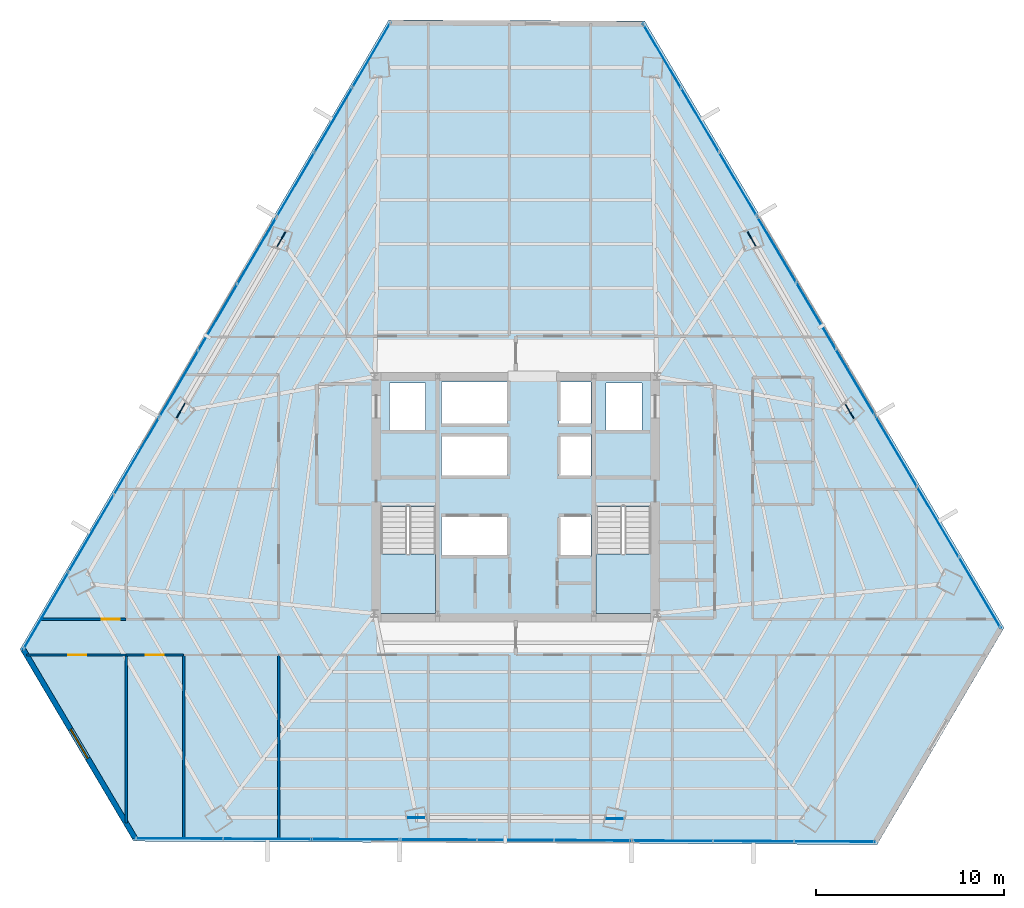
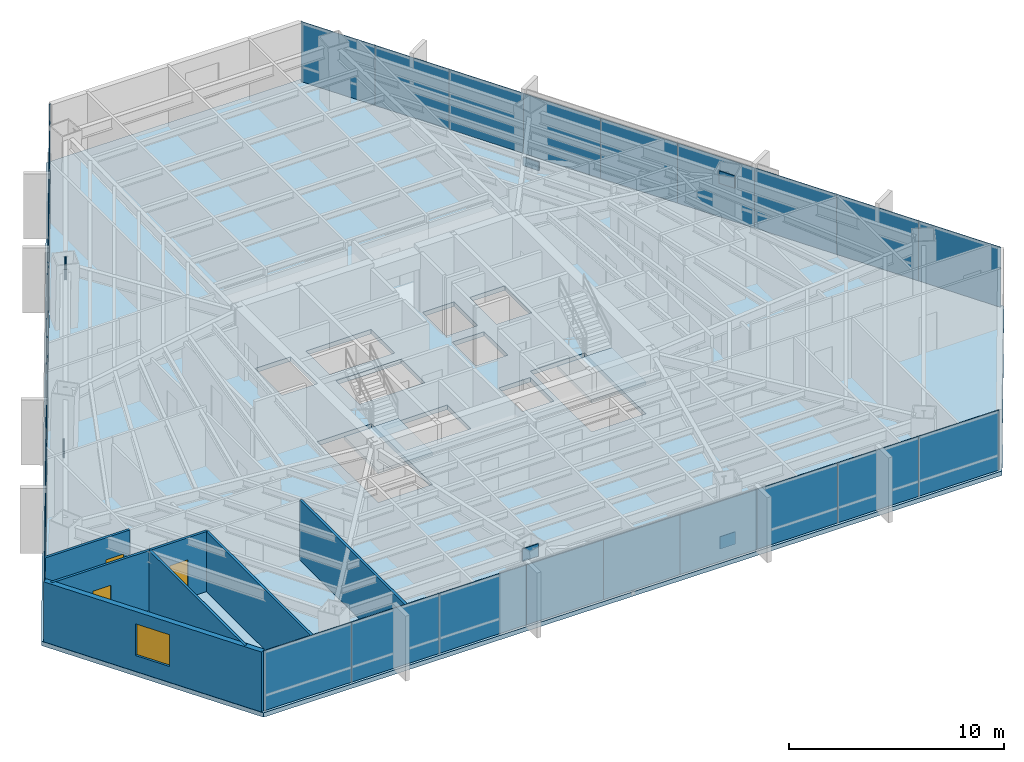
# One storey, part 29 of 36: 33 plates, 7 walls, 3 doors, 3 slabs, 1 window, 4 openings, 11 elements without a shape of their own.
"""IFC4 building model written with IfcOpenShell, lengths in metres."""

from ifc_helpers import new_model, si_unit, direction, frame, frame_2d, origin, origin_2d, place, context, subcontext, project, spatial, polyline, rectangle, outline, extrude, source, transform, mapped, material, layer, layer_set, type_object, type_shapes, element, fill, aggregate, save


model = new_model("IFC4")

# Units and contexts
model_context = context("Model", 3, precision=1e-05, world=origin(), true_north=direction((0.0, 1.0)))
body_context = subcontext(model_context, "Body", "Model", "MODEL_VIEW")
ifc_project = project(units=[si_unit("LENGTHUNIT", "METRE"), si_unit("AREAUNIT", "SQUARE_METRE"), si_unit("VOLUMEUNIT", "CUBIC_METRE"), si_unit("PLANEANGLEUNIT", "RADIAN"), si_unit("MASSUNIT", "GRAM", prefix="KILO")], contexts=[model_context])

# Site, building, storey
site_placement = place(None, origin())
site = spatial("IfcSite", under=ifc_project, at=site_placement, CompositionType="ELEMENT")
building_placement = place(site_placement, origin())
building = spatial("IfcBuilding", under=site, at=building_placement, Name="Caelisora Broadcast Tower", CompositionType="ELEMENT")
storey_placement = place(building_placement, frame((0.0, 0.0, 112.699951171875)))
storey = spatial("IfcBuildingStorey", under=building, at=storey_placement, Name="L29", CompositionType="ELEMENT", Elevation=112.699951171875)

# Slab
ifc_material_1 = material(Name="Concrete 40 MPa (AS 3600 N40)", Category="concrete")
ifc_layer_1 = layer(ifc_material_1, 0.25, Name="Concrete 40 MPa (AS 3600 N40)")
ifc_layer_set_1 = layer_set([ifc_layer_1], Name="Concrete 40 MPa (AS 3600 N40)")
slab_type_1 = type_object("IfcSlabType", Name="SL04", PredefinedType="FLOOR", material=ifc_layer_set_1)
slab_1_placement = place(storey_placement, frame((0.0, 0.0, -0.25)))
element("IfcSlab", 1, at=slab_1_placement, inside=storey, type_object=slab_type_1, Name="L29 suspended floor SL04", PredefinedType="FLOOR", context=body_context, shape_type="SweptSolid", body=[
    extrude(outline(polyline([(44.85693359375, 48.885986328125), (31.251953125, 48.948974609375), (11.652099609375, 15.498046875), (17.68896484375, 5.302978515625), (57.202880859375, 5.12109375), (63.950927734375, 16.638916015625), (44.85693359375, 48.885986328125)]), holes=[polyline([(30.820068359375, 17.39990234375), (33.739990234375, 17.39990234375), (33.739990234375, 23.080078125), (30.820068359375, 23.080078125), (30.820068359375, 17.39990234375)]), polyline([(42.260009765625, 17.39990234375), (45.179931640625, 17.39990234375), (45.179931640625, 23.080078125), (42.260009765625, 23.080078125), (42.260009765625, 17.39990234375)]), polyline([(42.800048828125, 27.14990234375), (44.699951171875, 27.14990234375), (44.699951171875, 29.64990234375), (42.800048828125, 29.64990234375), (42.800048828125, 27.14990234375)]), polyline([(40.300048828125, 20.429931640625), (42.0, 20.429931640625), (42.0, 22.6298828125), (40.300048828125, 22.6298828125), (40.300048828125, 20.429931640625)]), polyline([(40.300048828125, 24.719970703125), (42.0, 24.719970703125), (42.0, 26.919921875), (40.300048828125, 26.919921875), (40.300048828125, 24.719970703125)]), polyline([(40.300048828125, 27.5), (42.0, 27.5), (42.0, 29.699951171875), (40.300048828125, 29.699951171875), (40.300048828125, 27.5)]), polyline([(34.050048828125, 20.429931640625), (37.550048828125, 20.429931640625), (37.550048828125, 22.6298828125), (34.050048828125, 22.6298828125), (34.050048828125, 20.429931640625)]), polyline([(34.050048828125, 24.719970703125), (37.550048828125, 24.719970703125), (37.550048828125, 26.919921875), (34.050048828125, 26.919921875), (34.050048828125, 24.719970703125)]), polyline([(34.050048828125, 27.5), (37.550048828125, 27.5), (37.550048828125, 29.699951171875), (34.050048828125, 29.699951171875), (34.050048828125, 27.5)]), polyline([(31.300048828125, 27.14990234375), (33.199951171875, 27.14990234375), (33.199951171875, 29.64990234375), (31.300048828125, 29.64990234375), (31.300048828125, 27.14990234375)])]), origin(), (0.0, 0.0, 1.0), 0.25),
])

# Stair, slab
stair_type_1 = type_object("IfcStairType", Name="ST-1", PredefinedType="HALF_TURN_STAIR", material=ifc_material_1)
stair_1_placement = place(storey_placement, origin())
stair_1 = element("IfcStair", 2, at=stair_1_placement, inside=storey, type_object=stair_type_1, Name="L29 West Fire-Isolated Tower Stair", PredefinedType="HALF_TURN_STAIR")
ifc_layer_2 = layer(ifc_material_1, 0.199951171875, Name="Concrete 40 MPa (AS 3600 N40)")
ifc_layer_set_2 = layer_set([ifc_layer_2], Name="Concrete 40 MPa (AS 3600 N40)")
slab_type_2 = type_object("IfcSlabType", Name="STL-1", PredefinedType="LANDING", material=ifc_layer_set_2)
slab_2_placement = place(storey_placement, frame((0.0, 0.0, 1.625)))
slab_2 = element("IfcSlab", 3, at=slab_2_placement, type_object=slab_type_2, Name="ST-1 landing 1", PredefinedType="LANDING", context=body_context, shape_type="SweptSolid", body=[
    extrude(outline(polyline([(30.820068359375, 20.580078125), (30.820068359375, 17.39990234375), (33.739990234375, 17.39990234375), (33.739990234375, 20.580078125), (30.820068359375, 20.580078125)])), origin(), (0.0, 0.0, 1.0), 0.199951171875),
])
aggregate(stair_1, [slab_2])

stair_type_2 = type_object("IfcStairType", Name="ST-2", PredefinedType="HALF_TURN_STAIR", material=ifc_material_1)
stair_2_placement = place(storey_placement, origin())
stair_2 = element("IfcStair", 4, at=stair_2_placement, inside=storey, type_object=stair_type_2, Name="L29 East Fire-Isolated Tower Stair", PredefinedType="HALF_TURN_STAIR")
slab_3_placement = place(storey_placement, frame((0.0, 0.0, 1.625)))
slab_3 = element("IfcSlab", 5, at=slab_3_placement, type_object=slab_type_2, Name="ST-2 landing 1", PredefinedType="LANDING", context=body_context, shape_type="SweptSolid", body=[
    extrude(outline(polyline([(42.260009765625, 20.580078125), (42.260009765625, 17.39990234375), (45.179931640625, 17.39990234375), (45.179931640625, 20.580078125), (42.260009765625, 20.580078125)])), origin(), (0.0, 0.0, 1.0), 0.199951171875),
])
aggregate(stair_2, [slab_3])

# Plates
ifc_material_2 = material(Name="Steel Grade 350 L15 (AS/NZS 3678)", Category="steel")
ifc_layer_3 = layer(ifc_material_2, 0.050048828125, Name="Steel Grade 350 L15 (AS/NZS 3678)")
ifc_layer_set_3 = layer_set([ifc_layer_3], Name="Steel Grade 350 L15 (AS/NZS 3678)")
plate_type_1 = type_object("IfcPlateType", Name="GP03", PredefinedType="USERDEFINED", material=ifc_layer_set_3)
shared_shape_1 = source(origin(), body_context, "Body", "SweptSolid", [
    extrude(rectangle(XDim=0.85009765625, YDim=0.050048828125, at=origin_2d()), origin(), (0.0, 0.0, 1.0), 0.699951171875),
])
type_shapes(plate_type_1, [shared_shape_1])
for number, where, z_axis, x_axis, name in (
    (6, (25.53271484375, 37.2900390625, 2.72998046875), (0.0, 0.0, 1.0), (-0.5, -0.866025403784, 0.0), "L29 gusset plate GP03 (ND-L29-C02T)"),
    (7, (20.202392578125, 28.202392578125, -0.22998046875), (0.0, 0.0, 1.0), (-0.5, -0.866025403784, 0.0), "L29 gusset plate GP03 (ND-L29-C03B)"),
    (8, (32.72412109375, 6.557861328125, 2.72998046875), (0.0, 0.0, 1.0), (1.0, 0.0, 0.0), "L29 gusset plate GP03 (ND-L29-C06T)"),
    (9, (43.259521484375, 6.485595703125, -0.22998046875), (0.0, 0.0, 1.0), (1.0, 0.0, 0.0), "L29 gusset plate GP03 (ND-L29-C07B)"),
    (10, (55.7431640625, 28.152099609375, 2.72998046875), (0.0, 0.0, 1.0), (-0.5, 0.866025403784, 0.0), "L29 gusset plate GP03 (ND-L29-C10T)"),
    (11, (50.5380859375, 37.31201171875, -0.22998046875), (0.0, 0.0, 1.0), (-0.5, 0.866025403784, 0.0), "L29 gusset plate GP03 (ND-L29-C11B)"),
):
    element("IfcPlate", number, at=place(storey_placement, frame(where, z_axis=z_axis, x_axis=x_axis)), inside=storey, type_object=plate_type_1, Name=name, ObjectType="GUSSET PLATE", PredefinedType="USERDEFINED", context=body_context, shape_type="MappedRepresentation", body=[
        mapped(shared_shape_1, transform((0.0, 0.0, 0.0), scale=1.0)),
    ])

# Curtain wall, plates
ifc_material_3 = material(Name="Unitised Aluminium and Low-E Glass Curtain Wall", Category="glass")
curtain_wall_type_1 = type_object("IfcCurtainWallType", Name="CW-Z2", PredefinedType="NOTDEFINED", material=ifc_material_3)
curtain_wall_1_placement = place(storey_placement, origin())
curtain_wall_1 = element("IfcCurtainWall", 12, at=curtain_wall_1_placement, inside=storey, type_object=curtain_wall_type_1, Name="L29 curtain wall CW-Z2", PredefinedType="NOTDEFINED")
ifc_material_4 = material(Name="Double Glazed Low-E Argon IGU", Category="glass")
ifc_layer_4 = layer(ifc_material_4, 0.033935546875, Name="Double Glazed Low-E Argon IGU")
ifc_layer_set_4 = layer_set([ifc_layer_4], Name="Double Glazed Low-E Argon IGU")
plate_type_2 = type_object("IfcPlateType", Name="CWP-03", PredefinedType="CURTAIN_PANEL", material=ifc_layer_set_4)
shared_shape_2 = source(origin(), body_context, "Body", "SweptSolid", [
    extrude(rectangle(XDim=3.954345703125, YDim=0.033935546875, at=origin_2d()), origin(), (0.0, 0.0, 1.0), 3.39990234375),
])
plate_1_placement = place(storey_placement, frame((45.7783203125, 47.03466796875, 0.0), z_axis=(0.0, 0.0, 1.0), x_axis=(0.509492029423, -0.860475375565, 0.0)))
plate_1 = element("IfcPlate", 13, at=plate_1_placement, type_object=plate_type_2, Name="L29-CW-B01 glazed panel #1", PredefinedType="CURTAIN_PANEL", context=body_context, shape_type="MappedRepresentation", body=[
    mapped(shared_shape_2, transform((0.0, 0.0, 0.0), scale=1.0)),
])
plate_2_placement = place(storey_placement, frame((47.793212890625, 43.632080078125, 0.0), z_axis=(0.0, 0.0, 1.0), x_axis=(0.509492029423, -0.860475375565, 0.0)))
plate_2 = element("IfcPlate", 14, at=plate_2_placement, type_object=plate_type_2, Name="L29-CW-B01 glazed panel #2", PredefinedType="CURTAIN_PANEL", context=body_context, shape_type="MappedRepresentation", body=[
    mapped(shared_shape_2, transform((0.0, 0.0, 0.0), scale=1.0)),
])
plate_3_placement = place(storey_placement, frame((49.80810546875, 40.2294921875, 0.0), z_axis=(0.0, 0.0, 1.0), x_axis=(0.509492029423, -0.860475375565, 0.0)))
plate_3 = element("IfcPlate", 15, at=plate_3_placement, type_object=plate_type_2, Name="L29-CW-B01 glazed panel #3", PredefinedType="CURTAIN_PANEL", context=body_context, shape_type="MappedRepresentation", body=[
    mapped(shared_shape_2, transform((0.0, 0.0, 0.0), scale=1.0)),
])
aggregate(curtain_wall_1, [plate_1, plate_2, plate_3])

ifc_material_5 = material(Name="Unitised Aluminium Insulated Shadow-Box Spandrel Curtain Wall", Category="aluminium")
curtain_wall_type_2 = type_object("IfcCurtainWallType", Name="CW-SP1", PredefinedType="NOTDEFINED", material=ifc_material_5)
curtain_wall_2_placement = place(storey_placement, origin())
curtain_wall_2 = element("IfcCurtainWall", 16, at=curtain_wall_2_placement, inside=storey, type_object=curtain_wall_type_2, Name="L29 curtain wall CW-SP1", PredefinedType="NOTDEFINED")
ifc_material_6 = material(Name="Insulated Terracotta Shadow-Box Spandrel Panel", Category="aluminium")
ifc_layer_5 = layer(ifc_material_6, 0.0439453125, Name="Insulated Terracotta Shadow-Box Spandrel Panel")
ifc_layer_set_5 = layer_set([ifc_layer_5], Name="Insulated Terracotta Shadow-Box Spandrel Panel")
plate_type_3 = type_object("IfcPlateType", Name="CWP-10", PredefinedType="CURTAIN_PANEL", material=ifc_layer_set_5)
shared_shape_3 = source(origin(), body_context, "Body", "SweptSolid", [
    extrude(rectangle(XDim=4.102783203125, YDim=0.0439453125, at=origin_2d()), origin(), (0.0, 0.0, 1.0), 3.39990234375),
])
plate_4_placement = place(storey_placement, frame((51.865966796875, 36.75439453125, 0.0), z_axis=(0.0, 0.0, 1.0), x_axis=(0.509492029423, -0.860475375565, 0.0)))
plate_4 = element("IfcPlate", 17, at=plate_4_placement, type_object=plate_type_3, Name="L29-CW-B02 spandrel panel #1", PredefinedType="CURTAIN_PANEL", context=body_context, shape_type="MappedRepresentation", body=[
    mapped(shared_shape_3, transform((0.0, 0.0, 0.0), scale=1.0)),
])
plate_5_placement = place(storey_placement, frame((53.956298828125, 33.22412109375, 0.0), z_axis=(0.0, 0.0, 1.0), x_axis=(0.509492029423, -0.860475375565, 0.0)))
plate_5 = element("IfcPlate", 18, at=plate_5_placement, type_object=plate_type_3, Name="L29-CW-B02 spandrel panel #2", PredefinedType="CURTAIN_PANEL", context=body_context, shape_type="MappedRepresentation", body=[
    mapped(shared_shape_3, transform((0.0, 0.0, 0.0), scale=1.0)),
])
plate_6_placement = place(storey_placement, frame((56.046875, 29.693603515625, 0.0), z_axis=(0.0, 0.0, 1.0), x_axis=(0.509492029423, -0.860475375565, 0.0)))
plate_6 = element("IfcPlate", 19, at=plate_6_placement, type_object=plate_type_3, Name="L29-CW-B02 spandrel panel #3", PredefinedType="CURTAIN_PANEL", context=body_context, shape_type="MappedRepresentation", body=[
    mapped(shared_shape_3, transform((0.0, 0.0, 0.0), scale=1.0)),
])
aggregate(curtain_wall_2, [plate_4, plate_5, plate_6])

curtain_wall_3_placement = place(storey_placement, origin())
curtain_wall_3 = element("IfcCurtainWall", 20, at=curtain_wall_3_placement, inside=storey, type_object=curtain_wall_type_1, Name="L29 curtain wall CW-Z2", PredefinedType="NOTDEFINED")
shared_shape_4 = source(origin(), body_context, "Body", "SweptSolid", [
    extrude(rectangle(XDim=4.3701171875, YDim=0.033935546875, at=origin_2d()), origin(), (0.0, 0.0, 1.0), 3.39990234375),
])
plate_7_placement = place(storey_placement, frame((58.21044921875, 26.039794921875, 0.0), z_axis=(0.0, 0.0, 1.0), x_axis=(0.509492029423, -0.860475375565, 0.0)))
plate_7 = element("IfcPlate", 21, at=plate_7_placement, type_object=plate_type_2, Name="L29-CW-B03 glazed panel #1", PredefinedType="CURTAIN_PANEL", context=body_context, shape_type="MappedRepresentation", body=[
    mapped(shared_shape_4, transform((0.0, 0.0, 0.0), scale=1.0)),
])
plate_8_placement = place(storey_placement, frame((60.43701171875, 22.279541015625, 0.0), z_axis=(0.0, 0.0, 1.0), x_axis=(0.509492029423, -0.860475375565, 0.0)))
plate_8 = element("IfcPlate", 22, at=plate_8_placement, type_object=plate_type_2, Name="L29-CW-B03 glazed panel #2", PredefinedType="CURTAIN_PANEL", context=body_context, shape_type="MappedRepresentation", body=[
    mapped(shared_shape_4, transform((0.0, 0.0, 0.0), scale=1.0)),
])
plate_9_placement = place(storey_placement, frame((62.663818359375, 18.519287109375, 0.0), z_axis=(0.0, 0.0, 1.0), x_axis=(0.509492029423, -0.860475375565, 0.0)))
plate_9 = element("IfcPlate", 23, at=plate_9_placement, type_object=plate_type_2, Name="L29-CW-B03 glazed panel #3", PredefinedType="CURTAIN_PANEL", context=body_context, shape_type="MappedRepresentation", body=[
    mapped(shared_shape_4, transform((0.0, 0.0, 0.0), scale=1.0)),
])
aggregate(curtain_wall_3, [plate_7, plate_8, plate_9])

curtain_wall_4_placement = place(storey_placement, origin())
curtain_wall_4 = element("IfcCurtainWall", 24, at=curtain_wall_4_placement, inside=storey, type_object=curtain_wall_type_1, Name="L29 curtain wall CW-Z2", PredefinedType="NOTDEFINED")
shared_shape_5 = source(origin(), body_context, "Body", "SweptSolid", [
    extrude(rectangle(XDim=4.3193359375, YDim=0.033935546875, at=origin_2d()), origin(), (0.0, 0.0, 1.0), 3.39990234375),
])
plate_10_placement = place(storey_placement, frame((54.95751953125, 5.281005859375, 0.0), z_axis=(0.0, 0.0, 1.0), x_axis=(-0.999988896716, 0.004712371539, 0.0)))
plate_10 = element("IfcPlate", 25, at=plate_10_placement, type_object=plate_type_2, Name="L29-CW-B05 glazed panel #1", PredefinedType="CURTAIN_PANEL", context=body_context, shape_type="MappedRepresentation", body=[
    mapped(shared_shape_5, transform((0.0, 0.0, 0.0), scale=1.0)),
])
plate_11_placement = place(storey_placement, frame((50.63818359375, 5.301025390625, 0.0), z_axis=(0.0, 0.0, 1.0), x_axis=(-0.999988896716, 0.004712371539, 0.0)))
plate_11 = element("IfcPlate", 26, at=plate_11_placement, type_object=plate_type_2, Name="L29-CW-B05 glazed panel #2", PredefinedType="CURTAIN_PANEL", context=body_context, shape_type="MappedRepresentation", body=[
    mapped(shared_shape_5, transform((0.0, 0.0, 0.0), scale=1.0)),
])
plate_12_placement = place(storey_placement, frame((46.31884765625, 5.321044921875, 0.0), z_axis=(0.0, 0.0, 1.0), x_axis=(-0.999988896716, 0.004712371539, 0.0)))
plate_12 = element("IfcPlate", 27, at=plate_12_placement, type_object=plate_type_2, Name="L29-CW-B05 glazed panel #3", PredefinedType="CURTAIN_PANEL", context=body_context, shape_type="MappedRepresentation", body=[
    mapped(shared_shape_5, transform((0.0, 0.0, 0.0), scale=1.0)),
])
aggregate(curtain_wall_4, [plate_10, plate_11, plate_12])

curtain_wall_5_placement = place(storey_placement, origin())
curtain_wall_5 = element("IfcCurtainWall", 28, at=curtain_wall_5_placement, inside=storey, type_object=curtain_wall_type_2, Name="L29 curtain wall CW-SP1", PredefinedType="NOTDEFINED")
shared_shape_6 = source(origin(), body_context, "Body", "SweptSolid", [
    extrude(rectangle(XDim=4.10302734375, YDim=0.0439453125, at=origin_2d()), origin(), (0.0, 0.0, 1.0), 3.39990234375),
])
type_shapes(plate_type_3, [shared_shape_3, shared_shape_6])
plate_13_placement = place(storey_placement, frame((42.09765625, 5.340576171875, 0.0), z_axis=(0.0, 0.0, 1.0), x_axis=(-0.999988896716, 0.004712371539, 0.0)))
plate_13 = element("IfcPlate", 29, at=plate_13_placement, type_object=plate_type_3, Name="L29-CW-B06 spandrel panel #1", PredefinedType="CURTAIN_PANEL", context=body_context, shape_type="MappedRepresentation", body=[
    mapped(shared_shape_6, transform((0.0, 0.0, 0.0), scale=1.0)),
])
plate_14_placement = place(storey_placement, frame((37.994873046875, 5.359619140625, 0.0), z_axis=(0.0, 0.0, 1.0), x_axis=(-0.999988896716, 0.004712371539, 0.0)))
plate_14 = element("IfcPlate", 30, at=plate_14_placement, type_object=plate_type_3, Name="L29-CW-B06 spandrel panel #2", PredefinedType="CURTAIN_PANEL", context=body_context, shape_type="MappedRepresentation", body=[
    mapped(shared_shape_6, transform((0.0, 0.0, 0.0), scale=1.0)),
])
plate_15_placement = place(storey_placement, frame((33.891845703125, 5.37841796875, 0.0), z_axis=(0.0, 0.0, 1.0), x_axis=(-0.999988896716, 0.004712371539, 0.0)))
plate_15 = element("IfcPlate", 31, at=plate_15_placement, type_object=plate_type_3, Name="L29-CW-B06 spandrel panel #3", PredefinedType="CURTAIN_PANEL", context=body_context, shape_type="MappedRepresentation", body=[
    mapped(shared_shape_6, transform((0.0, 0.0, 0.0), scale=1.0)),
])
aggregate(curtain_wall_5, [plate_13, plate_14, plate_15])

curtain_wall_6_placement = place(storey_placement, origin())
curtain_wall_6 = element("IfcCurtainWall", 32, at=curtain_wall_6_placement, inside=storey, type_object=curtain_wall_type_2, Name="L29 curtain wall CW-SP1", PredefinedType="NOTDEFINED")
plate_16_placement = place(storey_placement, frame((20.0927734375, 29.606689453125, 0.0), z_axis=(0.0, 0.0, 1.0), x_axis=(0.505582083675, 0.862778509623, 0.0)))
plate_16 = element("IfcPlate", 33, at=plate_16_placement, type_object=plate_type_3, Name="L29-CW-B10 spandrel panel #1", PredefinedType="CURTAIN_PANEL", context=body_context, shape_type="MappedRepresentation", body=[
    mapped(shared_shape_6, transform((0.0, 0.0, 0.0), scale=1.0)),
])
plate_17_placement = place(storey_placement, frame((22.1669921875, 33.14697265625, 0.0), z_axis=(0.0, 0.0, 1.0), x_axis=(0.505582083675, 0.862778509623, 0.0)))
plate_17 = element("IfcPlate", 34, at=plate_17_placement, type_object=plate_type_3, Name="L29-CW-B10 spandrel panel #2", PredefinedType="CURTAIN_PANEL", context=body_context, shape_type="MappedRepresentation", body=[
    mapped(shared_shape_6, transform((0.0, 0.0, 0.0), scale=1.0)),
])
plate_18_placement = place(storey_placement, frame((24.2412109375, 36.68701171875, 0.0), z_axis=(0.0, 0.0, 1.0), x_axis=(0.505582083675, 0.862778509623, 0.0)))
plate_18 = element("IfcPlate", 35, at=plate_18_placement, type_object=plate_type_3, Name="L29-CW-B10 spandrel panel #3", PredefinedType="CURTAIN_PANEL", context=body_context, shape_type="MappedRepresentation", body=[
    mapped(shared_shape_6, transform((0.0, 0.0, 0.0), scale=1.0)),
])
aggregate(curtain_wall_6, [plate_16, plate_17, plate_18])

curtain_wall_7_placement = place(storey_placement, origin())
curtain_wall_7 = element("IfcCurtainWall", 36, at=curtain_wall_7_placement, inside=storey, type_object=curtain_wall_type_1, Name="L29 curtain wall CW-Z2", PredefinedType="NOTDEFINED")
shared_shape_7 = source(origin(), body_context, "Body", "SweptSolid", [
    extrude(rectangle(XDim=4.685302734375, YDim=0.033935546875, at=origin_2d()), origin(), (0.0, 0.0, 1.0), 3.39990234375),
])
plate_19_placement = place(storey_placement, frame((29.48779296875, 5.398681640625, 0.0), z_axis=(0.0, 0.0, 1.0), x_axis=(-0.999988896716, 0.004712371539, 0.0)))
plate_19 = element("IfcPlate", 37, at=plate_19_placement, type_object=plate_type_2, Name="L29-CW-B07 glazed panel #1", PredefinedType="CURTAIN_PANEL", context=body_context, shape_type="MappedRepresentation", body=[
    mapped(shared_shape_7, transform((0.0, 0.0, 0.0), scale=1.0)),
])
plate_20_placement = place(storey_placement, frame((24.802734375, 5.42041015625, 0.0), z_axis=(0.0, 0.0, 1.0), x_axis=(-0.999988896716, 0.004712371539, 0.0)))
plate_20 = element("IfcPlate", 38, at=plate_20_placement, type_object=plate_type_2, Name="L29-CW-B07 glazed panel #2", PredefinedType="CURTAIN_PANEL", context=body_context, shape_type="MappedRepresentation", body=[
    mapped(shared_shape_7, transform((0.0, 0.0, 0.0), scale=1.0)),
])
plate_21_placement = place(storey_placement, frame((20.11767578125, 5.442138671875, 0.0), z_axis=(0.0, 0.0, 1.0), x_axis=(-0.999988896716, 0.004712371539, 0.0)))
plate_21 = element("IfcPlate", 39, at=plate_21_placement, type_object=plate_type_2, Name="L29-CW-B07 glazed panel #3", PredefinedType="CURTAIN_PANEL", context=body_context, shape_type="MappedRepresentation", body=[
    mapped(shared_shape_7, transform((0.0, 0.0, 0.0), scale=1.0)),
])
aggregate(curtain_wall_7, [plate_19, plate_20, plate_21])

curtain_wall_8_placement = place(storey_placement, origin())
curtain_wall_8 = element("IfcCurtainWall", 40, at=curtain_wall_8_placement, inside=storey, type_object=curtain_wall_type_1, Name="L29 curtain wall CW-Z2", PredefinedType="NOTDEFINED")
shared_shape_8 = source(origin(), body_context, "Body", "SweptSolid", [
    extrude(rectangle(XDim=4.763671875, YDim=0.033935546875, at=origin_2d()), origin(), (0.0, 0.0, 1.0), 3.39990234375),
])
plate_22_placement = place(storey_placement, frame((13.030029296875, 17.552978515625, 0.0), z_axis=(0.0, 0.0, 1.0), x_axis=(0.505582083675, 0.862778509623, 0.0)))
plate_22 = element("IfcPlate", 41, at=plate_22_placement, type_object=plate_type_2, Name="L29-CW-B09 glazed panel #1", PredefinedType="CURTAIN_PANEL", context=body_context, shape_type="MappedRepresentation", body=[
    mapped(shared_shape_8, transform((0.0, 0.0, 0.0), scale=1.0)),
])
plate_23_placement = place(storey_placement, frame((15.438232421875, 21.6630859375, 0.0), z_axis=(0.0, 0.0, 1.0), x_axis=(0.505582083675, 0.862778509623, 0.0)))
plate_23 = element("IfcPlate", 42, at=plate_23_placement, type_object=plate_type_2, Name="L29-CW-B09 glazed panel #2", PredefinedType="CURTAIN_PANEL", context=body_context, shape_type="MappedRepresentation", body=[
    mapped(shared_shape_8, transform((0.0, 0.0, 0.0), scale=1.0)),
])
plate_24_placement = place(storey_placement, frame((17.846435546875, 25.773193359375, 0.0), z_axis=(0.0, 0.0, 1.0), x_axis=(0.505582083675, 0.862778509623, 0.0)))
plate_24 = element("IfcPlate", 43, at=plate_24_placement, type_object=plate_type_2, Name="L29-CW-B09 glazed panel #3", PredefinedType="CURTAIN_PANEL", context=body_context, shape_type="MappedRepresentation", body=[
    mapped(shared_shape_8, transform((0.0, 0.0, 0.0), scale=1.0)),
])
aggregate(curtain_wall_8, [plate_22, plate_23, plate_24])

curtain_wall_9_placement = place(storey_placement, origin())
curtain_wall_9 = element("IfcCurtainWall", 44, at=curtain_wall_9_placement, inside=storey, type_object=curtain_wall_type_1, Name="L29 curtain wall CW-Z2", PredefinedType="NOTDEFINED")
shared_shape_9 = source(origin(), body_context, "Body", "SweptSolid", [
    extrude(rectangle(XDim=3.9921875, YDim=0.033935546875, at=origin_2d()), origin(), (0.0, 0.0, 1.0), 3.39990234375),
])
type_shapes(plate_type_2, [shared_shape_2, shared_shape_4, shared_shape_5, shared_shape_7, shared_shape_8, shared_shape_9])
plate_25_placement = place(storey_placement, frame((26.29248046875, 40.187744140625, 0.0), z_axis=(0.0, 0.0, 1.0), x_axis=(0.505582083675, 0.862778509623, 0.0)))
plate_25 = element("IfcPlate", 45, at=plate_25_placement, type_object=plate_type_2, Name="L29-CW-B11 glazed panel #1", PredefinedType="CURTAIN_PANEL", context=body_context, shape_type="MappedRepresentation", body=[
    mapped(shared_shape_9, transform((0.0, 0.0, 0.0), scale=1.0)),
])
plate_26_placement = place(storey_placement, frame((28.310791015625, 43.63232421875, 0.0), z_axis=(0.0, 0.0, 1.0), x_axis=(0.505582083675, 0.862778509623, 0.0)))
plate_26 = element("IfcPlate", 46, at=plate_26_placement, type_object=plate_type_2, Name="L29-CW-B11 glazed panel #2", PredefinedType="CURTAIN_PANEL", context=body_context, shape_type="MappedRepresentation", body=[
    mapped(shared_shape_9, transform((0.0, 0.0, 0.0), scale=1.0)),
])
plate_27_placement = place(storey_placement, frame((30.328857421875, 47.076904296875, 0.0), z_axis=(0.0, 0.0, 1.0), x_axis=(0.505582083675, 0.862778509623, 0.0)))
plate_27 = element("IfcPlate", 47, at=plate_27_placement, type_object=plate_type_2, Name="L29-CW-B11 glazed panel #3", PredefinedType="CURTAIN_PANEL", context=body_context, shape_type="MappedRepresentation", body=[
    mapped(shared_shape_9, transform((0.0, 0.0, 0.0), scale=1.0)),
])
aggregate(curtain_wall_9, [plate_25, plate_26, plate_27])

# Wall, opening, window
ifc_material_7 = material(Name="Insulated Terracotta Spandrel Wall System", Category="masonry")
ifc_layer_6 = layer(ifc_material_7, 0.280029296875, Name="Insulated Terracotta Spandrel Wall System")
ifc_layer_set_6 = layer_set([ifc_layer_6], Name="Insulated Terracotta Spandrel Wall System")
wall_type_1 = type_object("IfcWallType", Name="EW1", PredefinedType="STANDARD", material=ifc_layer_set_6)
wall_1_placement = place(storey_placement, frame((17.759765625, 5.478759765625, 0.0), z_axis=(0.0, 0.0, 1.0), x_axis=(-0.509575352759, 0.860426033928, 0.0)))
wall_1 = element("IfcWall", 48, at=wall_1_placement, inside=storey, type_object=wall_type_1, Name="L29 exterior envelope wall EW1", PredefinedType="STANDARD", context=body_context, shape_type="SweptSolid", body=[
    extrude(rectangle(XDim=11.614501953125, YDim=0.280029296875, at=frame_2d((5.80712890625, 0.0))), origin(), (0.0, 0.0, 1.0), 3.400146484375),
])
opening_1_placement = place(wall_1_placement, frame((4.909912109375, 0.0, 0.89990234375)))
opening_1 = element("IfcOpeningElement", 49, at=opening_1_placement, cuts=wall_1, Name="Opening W01", PredefinedType="OPENING", context=body_context, shape_type="SweptSolid", body=[
    extrude(rectangle(XDim=1.800048828125, YDim=1.800048828125, at=frame_2d((0.89990234375, 0.89990234375))), frame((0.0, 0.152099609375, 0.0), z_axis=(0.0, -1.0, 0.0), x_axis=(1.0, 0.0, 0.0)), (0.0, 0.0, 1.0), 0.303955078125),
])
ifc_material_8 = material(Name="Double Glazed Terracotta-Framed Vision Window", Category="glass")
window_type = type_object("IfcWindowType", Name="W01", PartitioningType="SINGLE_PANEL", PredefinedType="WINDOW", material=ifc_material_8)
window_placement = place(opening_1_placement, origin())
window = element("IfcWindow", 50, at=window_placement, inside=storey, type_object=window_type, Name="L29 window W01 (L29-WN-CH4)", OverallHeight=1.800048828125, OverallWidth=1.800048828125, PartitioningType="SINGLE_PANEL", PredefinedType="WINDOW", context=body_context, shape_type="SweptSolid", body=[
    extrude(rectangle(XDim=1.800048828125, YDim=1.800048828125, at=frame_2d((0.89990234375, 0.89990234375))), frame((0.0, 0.030029296875, 0.0), z_axis=(0.0, -1.0, 0.0), x_axis=(1.0, 0.0, 0.0)), (0.0, 0.0, 1.0), 0.06005859375),
])
fill(opening_1, window)

# Walls
ifc_material_9 = material(Name="Acoustic Steel-Stud Plasterboard Partition", Category="gypsum")
ifc_layer_7 = layer(ifc_material_9, 0.1298828125, Name="Acoustic Steel-Stud Plasterboard Partition")
ifc_layer_set_7 = layer_set([ifc_layer_7], Name="Acoustic Steel-Stud Plasterboard Partition")
wall_type_2 = type_object("IfcWallType", Name="PW3", PredefinedType="PARTITIONING", material=ifc_layer_set_7)
wall_2_placement = place(storey_placement, frame((25.39990234375, 5.41259765625, 0.0), z_axis=(0.0, 0.0, 1.0), x_axis=(0.0, 1.0, 0.0)))
element("IfcWall", 51, at=wall_2_placement, inside=storey, type_object=wall_type_2, Name="L29 internal partition PW3", PredefinedType="PARTITIONING", context=body_context, shape_type="SweptSolid", body=[
    extrude(rectangle(XDim=9.782470703125, YDim=0.1298828125, at=frame_2d((4.89111328125, 0.0))), origin(), (0.0, 0.0, 1.0), 3.400146484375),
])
wall_3_placement = place(storey_placement, frame((20.360107421875, 5.435791015625, 0.0), z_axis=(0.0, 0.0, 1.0), x_axis=(0.0, 1.0, 0.0)))
element("IfcWall", 52, at=wall_3_placement, inside=storey, type_object=wall_type_2, Name="L29 internal partition PW3", PredefinedType="PARTITIONING", context=body_context, shape_type="SweptSolid", body=[
    extrude(rectangle(XDim=9.75927734375, YDim=0.1298828125, at=frame_2d((4.879638671875, 0.0))), origin(), (0.0, 0.0, 1.0), 3.400146484375),
])
wall_4_placement = place(storey_placement, frame((17.2900390625, 6.261474609375, 0.0), z_axis=(0.0, 0.0, 1.0), x_axis=(0.0, 1.0, 0.0)))
element("IfcWall", 53, at=wall_4_placement, inside=storey, type_object=wall_type_2, Name="L29 internal partition PW3", PredefinedType="PARTITIONING", context=body_context, shape_type="SweptSolid", body=[
    extrude(rectangle(XDim=8.93359375, YDim=0.1298828125, at=frame_2d((4.466796875, 0.0))), origin(), (0.0, 0.0, 1.0), 3.400146484375),
])

# Wall, opening, door
wall_5_placement = place(storey_placement, frame((11.9970703125, 15.199951171875, 0.0), z_axis=(0.0, 0.0, 1.0), x_axis=(1.0, 0.0, 0.0)))
wall_5 = element("IfcWall", 54, at=wall_5_placement, inside=storey, type_object=wall_type_2, Name="L29 internal partition PW3", PredefinedType="PARTITIONING", context=body_context, shape_type="SweptSolid", body=[
    extrude(rectangle(XDim=5.287841796875, YDim=0.1298828125, at=frame_2d((2.64404296875, 0.0))), origin(), (0.0, 0.0, 1.0), 3.400146484375),
])
opening_2_placement = place(wall_5_placement, frame((2.217041015625, 0.0, 0.0)))
opening_2 = element("IfcOpeningElement", 55, at=opening_2_placement, cuts=wall_5, Name="Opening D01", PredefinedType="OPENING", context=body_context, shape_type="SweptSolid", body=[
    extrude(rectangle(XDim=0.9599609375, YDim=2.14990234375, at=frame_2d((0.47998046875, 1.074951171875))), frame((0.0, 0.076904296875, 0.0), z_axis=(0.0, -1.0, 0.0), x_axis=(1.0, 0.0, 0.0)), (0.0, 0.0, 1.0), 0.15380859375),
])
ifc_material_10 = material(Name="Solid-Core Timber Acoustic Office Door", Category="wood")
door_type = type_object("IfcDoorType", Name="D01", OperationType="NOTDEFINED", PredefinedType="DOOR", material=ifc_material_10)
door_1_placement = place(opening_2_placement, origin())
door_1 = element("IfcDoor", 56, at=door_1_placement, inside=storey, type_object=door_type, Name="L29 door D01 (L29-DR-P55D1)", OperationType="SINGLE_SWING_LEFT", OverallHeight=2.14990234375, OverallWidth=0.9599609375, PredefinedType="DOOR", context=body_context, shape_type="SweptSolid", body=[
    extrude(rectangle(XDim=0.9599609375, YDim=2.14990234375, at=frame_2d((0.47998046875, 1.074951171875))), frame((0.0, 0.02490234375, 0.0), z_axis=(0.0, -1.0, 0.0), x_axis=(1.0, 0.0, 0.0)), (0.0, 0.0, 1.0), 0.050048828125),
])
fill(opening_2, door_1)

wall_6_placement = place(storey_placement, frame((12.7587890625, 17.10009765625, 0.0), z_axis=(0.0, 0.0, 1.0), x_axis=(1.0, 0.0, 0.0)))
wall_6 = element("IfcWall", 57, at=wall_6_placement, inside=storey, type_object=wall_type_2, Name="L29 internal partition PW3", PredefinedType="PARTITIONING", context=body_context, shape_type="SweptSolid", body=[
    extrude(rectangle(XDim=4.526123046875, YDim=0.1298828125, at=frame_2d((2.26318359375, 0.0))), origin(), (0.0, 0.0, 1.0), 3.400146484375),
])
opening_3_placement = place(wall_6_placement, frame((3.239990234375, 0.0, 0.0)))
opening_3 = element("IfcOpeningElement", 58, at=opening_3_placement, cuts=wall_6, Name="Opening D01", PredefinedType="OPENING", context=body_context, shape_type="SweptSolid", body=[
    extrude(rectangle(XDim=0.9599609375, YDim=2.14990234375, at=frame_2d((0.47998046875, 1.074951171875))), frame((0.0, 0.076904296875, 0.0), z_axis=(0.0, -1.0, 0.0), x_axis=(1.0, 0.0, 0.0)), (0.0, 0.0, 1.0), 0.15380859375),
])
door_2_placement = place(opening_3_placement, origin())
door_2 = element("IfcDoor", 59, at=door_2_placement, inside=storey, type_object=door_type, Name="L29 door D01 (L29-DR-P60D1)", OperationType="SINGLE_SWING_LEFT", OverallHeight=2.14990234375, OverallWidth=0.9599609375, PredefinedType="DOOR", context=body_context, shape_type="SweptSolid", body=[
    extrude(rectangle(XDim=0.9599609375, YDim=2.14990234375, at=frame_2d((0.47998046875, 1.074951171875))), frame((0.0, 0.02490234375, 0.0), z_axis=(0.0, -1.0, 0.0), x_axis=(1.0, 0.0, 0.0)), (0.0, 0.0, 1.0), 0.050048828125),
])
fill(opening_3, door_2)

wall_7_placement = place(storey_placement, frame((17.294921875, 15.199951171875, 0.0), z_axis=(0.0, 0.0, 1.0), x_axis=(1.0, 0.0, 0.0)))
wall_7 = element("IfcWall", 60, at=wall_7_placement, inside=storey, type_object=wall_type_2, Name="L29 internal partition PW3", PredefinedType="PARTITIONING", context=body_context, shape_type="SweptSolid", body=[
    extrude(rectangle(XDim=3.06005859375, YDim=0.1298828125, at=frame_2d((1.530029296875, 0.0))), origin(), (0.0, 0.0, 1.0), 3.400146484375),
])
opening_4_placement = place(wall_7_placement, frame((1.050048828125, 0.0, 0.0)))
opening_4 = element("IfcOpeningElement", 61, at=opening_4_placement, cuts=wall_7, Name="Opening D01", PredefinedType="OPENING", context=body_context, shape_type="SweptSolid", body=[
    extrude(rectangle(XDim=0.9599609375, YDim=2.14990234375, at=frame_2d((0.47998046875, 1.074951171875))), frame((0.0, 0.076904296875, 0.0), z_axis=(0.0, -1.0, 0.0), x_axis=(1.0, 0.0, 0.0)), (0.0, 0.0, 1.0), 0.15380859375),
])
door_3_placement = place(opening_4_placement, origin())
door_3 = element("IfcDoor", 62, at=door_3_placement, inside=storey, type_object=door_type, Name="L29 door D01 (L29-DR-P81D1)", OperationType="SINGLE_SWING_LEFT", OverallHeight=2.14990234375, OverallWidth=0.9599609375, PredefinedType="DOOR", context=body_context, shape_type="SweptSolid", body=[
    extrude(rectangle(XDim=0.9599609375, YDim=2.14990234375, at=frame_2d((0.47998046875, 1.074951171875))), frame((0.0, 0.02490234375, 0.0), z_axis=(0.0, -1.0, 0.0), x_axis=(1.0, 0.0, 0.0)), (0.0, 0.0, 1.0), 0.050048828125),
])
fill(opening_4, door_3)

save(model, "model.ifc")
